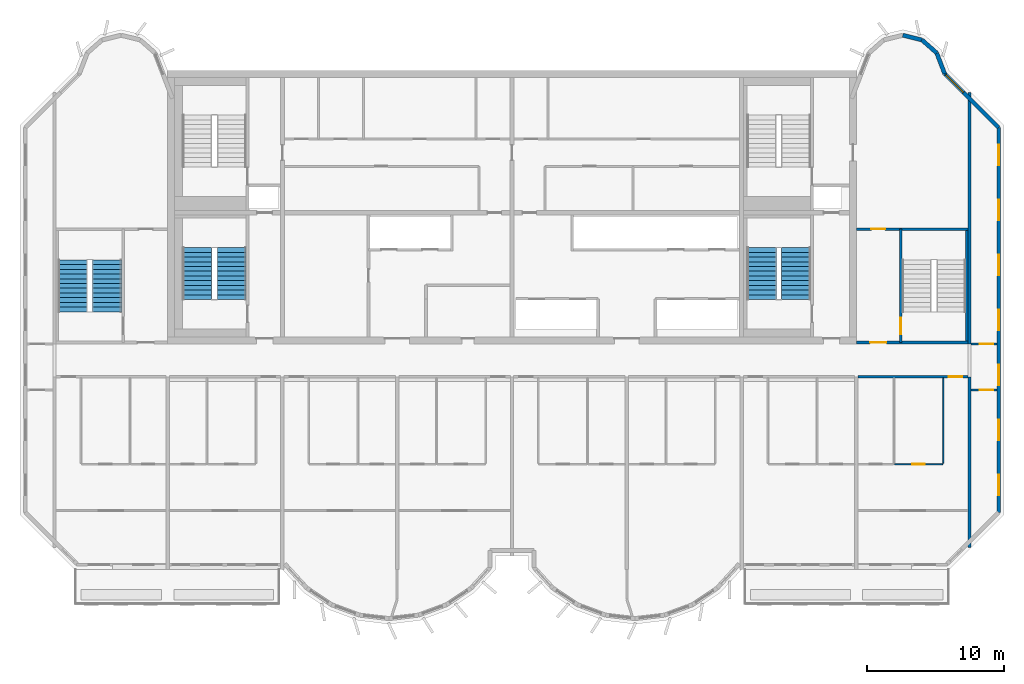
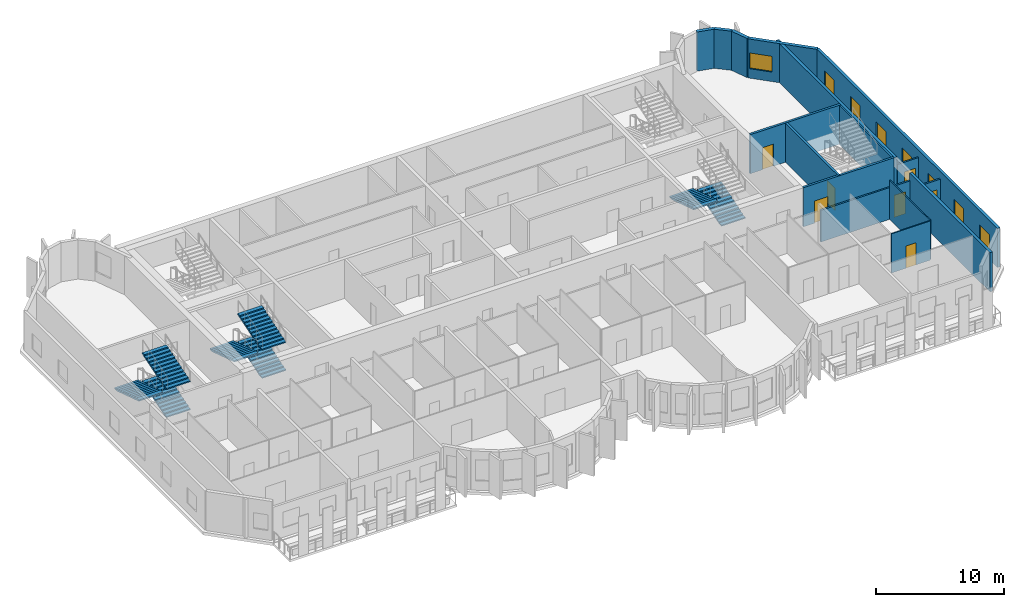
# One storey, part 8 of 12: 16 walls, 8 stair flights, 8 windows, 7 doors, 15 openings, 3 elements without a shape of their own.
"""IFC4 building model written with IfcOpenShell, lengths in metres."""

from ifc_helpers import new_model, si_unit, direction, frame, frame_2d, origin, place, context, subcontext, project, spatial, polyline, rectangle, outline, extrude, source, transform, mapped, material, layer, layer_set, type_object, element, fill, aggregate, save


model = new_model("IFC4")

# Units and contexts
model_context = context("Model", 3, precision=1e-05, world=origin(), true_north=direction((0.0, 1.0)))
body_context = subcontext(model_context, "Body", "Model", "MODEL_VIEW")
ifc_project = project(units=[si_unit("LENGTHUNIT", "METRE"), si_unit("AREAUNIT", "SQUARE_METRE"), si_unit("VOLUMEUNIT", "CUBIC_METRE"), si_unit("PLANEANGLEUNIT", "RADIAN"), si_unit("MASSUNIT", "GRAM", prefix="KILO")], contexts=[model_context])

# Site, building, storey
site_placement = place(None, origin())
site = spatial("IfcSite", under=ifc_project, at=site_placement, CompositionType="ELEMENT")
building_placement = place(site_placement, origin())
building = spatial("IfcBuilding", under=site, at=building_placement, Name="Vanashikhar Sky Hotel", CompositionType="ELEMENT")
storey_placement = place(building_placement, frame((0.0, 0.0, 281.699951171875)))
storey = spatial("IfcBuildingStorey", under=building, at=storey_placement, Name="L67", CompositionType="ELEMENT", Elevation=281.699951171875)

# Walls
ifc_material_1 = material(Name="Concrete M50", Category="concrete")
ifc_layer_1 = layer(ifc_material_1, 0.25)
ifc_layer_set_1 = layer_set([ifc_layer_1], Name="RC shear wall 250 Concrete M50")
wall_type_1 = type_object("IfcWallType", Name="RC shear wall 250 Concrete M50", PredefinedType="SHEAR", material=ifc_layer_set_1)
shared_shape_1 = source(origin(), body_context, "Body", "SweptSolid", [
    extrude(rectangle(XDim=12.5, YDim=0.25, at=frame_2d((6.25, 0.0))), origin(), (0.0, 0.0, 1.0), 3.719970703125),
])
wall_1_placement = place(storey_placement, frame((83.875, 7.10009765625, 0.0), z_axis=(0.0, 0.0, 1.0), x_axis=(0.0, 1.0, 0.0)))
element("IfcWall", 1, at=wall_1_placement, inside=storey, type_object=wall_type_1, Name="CW-L67-XW11-1", PredefinedType="SHEAR", context=body_context, shape_type="MappedRepresentation", body=[
    mapped(shared_shape_1, transform((0.0, 0.0, 0.0), scale=1.0)),
])
shared_shape_2 = source(origin(), body_context, "Body", "SweptSolid", [
    extrude(rectangle(XDim=18.39990234375, YDim=0.25, at=frame_2d((9.199951171875, 0.0))), origin(), (0.0, 0.0, 1.0), 3.719970703125),
])
wall_2_placement = place(storey_placement, frame((83.875, 22.0, 0.0), z_axis=(0.0, 0.0, 1.0), x_axis=(0.0, 1.0, 0.0)))
element("IfcWall", 2, at=wall_2_placement, inside=storey, type_object=wall_type_1, Name="CW-L67-XW11-2", PredefinedType="SHEAR", context=body_context, shape_type="MappedRepresentation", body=[
    mapped(shared_shape_2, transform((0.0, 0.0, 0.0), scale=1.0)),
])

# Wall, opening, window
ifc_layer_2 = layer(ifc_material_1, 0.300048828125)
ifc_layer_set_2 = layer_set([ifc_layer_2], Name="Lobe wall 300")
wall_type_2 = type_object("IfcWallType", Name="Lobe wall 300", PredefinedType="SOLIDWALL", material=ifc_layer_set_2)
shared_shape_3 = source(origin(), body_context, "Body", "SweptSolid", [
    extrude(rectangle(XDim=5.576416015625, YDim=0.300048828125, at=frame_2d((2.7880859375, 0.0))), origin(), (0.0, 0.0, 1.0), 3.719970703125),
])
wall_3_placement = place(storey_placement, frame((86.0, 37.834228515625, 0.0), z_axis=(0.0, 0.0, 1.0), x_axis=(-0.707106781187, 0.707106781187, 0.0)))
wall_3 = element("IfcWall", 3, at=wall_3_placement, inside=storey, type_object=wall_type_2, Name="Corner wall", PredefinedType="SOLIDWALL", context=body_context, shape_type="MappedRepresentation", body=[
    mapped(shared_shape_3, transform((0.0, 0.0, 0.0), scale=1.0)),
])
shared_shape_4 = source(origin(), body_context, "Body", "SweptSolid", [
    extrude(rectangle(XDim=1.800048828125, YDim=1.5, at=frame_2d((0.89990234375, 0.75))), frame((0.0, 0.16015625, 0.0), z_axis=(0.0, -1.0, 0.0), x_axis=(1.0, 0.0, 0.0)), (0.0, 0.0, 1.0), 0.320068359375),
])
opening_1_placement = place(wall_3_placement, frame((3.640869140625, 0.0, 0.89990234375)))
opening_1 = element("IfcOpeningElement", 4, at=opening_1_placement, cuts=wall_3, Name="Opening WN-4", PredefinedType="OPENING", context=body_context, shape_type="MappedRepresentation", body=[
    mapped(shared_shape_4, transform((0.0, 0.0, 0.0), scale=1.0)),
])
ifc_material_2 = material(Name="Glass", Category="glass")
window_type_1 = type_object("IfcWindowType", Name="Corner window 1800 x 1500", PartitioningType="SINGLE_PANEL", PredefinedType="WINDOW", material=ifc_material_2)
shared_shape_5 = source(origin(), body_context, "Body", "SweptSolid", [
    extrude(rectangle(XDim=1.800048828125, YDim=1.5, at=frame_2d((0.89990234375, 0.75))), frame((0.0, 0.030029296875, 0.0), z_axis=(0.0, -1.0, 0.0), x_axis=(1.0, 0.0, 0.0)), (0.0, 0.0, 1.0), 0.06005859375),
])
window_1_placement = place(opening_1_placement, origin())
window_1 = element("IfcWindow", 5, at=window_1_placement, inside=storey, type_object=window_type_1, Name="Window WN-4", OverallHeight=1.5, OverallWidth=1.800048828125, PartitioningType="SINGLE_PANEL", PredefinedType="WINDOW", context=body_context, shape_type="MappedRepresentation", body=[
    mapped(shared_shape_5, transform((0.0, 0.0, 0.0), scale=1.0)),
])
fill(opening_1, window_1)

# Walls
shared_shape_6 = source(origin(), body_context, "Body", "SweptSolid", [
    extrude(rectangle(XDim=1.6220703125, YDim=0.300048828125, at=frame_2d((0.81103515625, 0.0))), origin(), (0.0, 0.0, 1.0), 3.719970703125),
])
wall_4_placement = place(storey_placement, frame((82.056884765625, 41.77734375, 0.0), z_axis=(0.0, 0.0, 1.0), x_axis=(-0.357778527068, 0.933806471154, 0.0)))
element("IfcWall", 6, at=wall_4_placement, inside=storey, type_object=wall_type_2, Name="Lobe wall", PredefinedType="SOLIDWALL", context=body_context, shape_type="MappedRepresentation", body=[
    mapped(shared_shape_6, transform((0.0, 0.0, 0.0), scale=1.0)),
])
shared_shape_7 = source(origin(), body_context, "Body", "SweptSolid", [
    extrude(rectangle(XDim=1.43994140625, YDim=0.300048828125, at=frame_2d((0.719970703125, 0.0))), origin(), (0.0, 0.0, 1.0), 3.719970703125),
])
wall_5_placement = place(storey_placement, frame((81.4765625, 43.2919921875, 0.0), z_axis=(0.0, 0.0, 1.0), x_axis=(-0.74957555648, 0.661918790432, 0.0)))
element("IfcWall", 7, at=wall_5_placement, inside=storey, type_object=wall_type_2, Name="Lobe wall", PredefinedType="SOLIDWALL", context=body_context, shape_type="MappedRepresentation", body=[
    mapped(shared_shape_7, transform((0.0, 0.0, 0.0), scale=1.0)),
])
shared_shape_8 = source(origin(), body_context, "Body", "SweptSolid", [
    extrude(rectangle(XDim=1.438720703125, YDim=0.300048828125, at=frame_2d((0.71923828125, 0.0))), origin(), (0.0, 0.0, 1.0), 3.719970703125),
])
wall_6_placement = place(storey_placement, frame((80.397216796875, 44.2451171875, 0.0), z_axis=(0.0, 0.0, 1.0), x_axis=(-0.971161932466, 0.238420848351, 0.0)))
element("IfcWall", 8, at=wall_6_placement, inside=storey, type_object=wall_type_2, Name="Lobe wall", PredefinedType="SOLIDWALL", context=body_context, shape_type="MappedRepresentation", body=[
    mapped(shared_shape_8, transform((0.0, 0.0, 0.0), scale=1.0)),
])

# Wall, openings, windows
ifc_layer_3 = layer(ifc_material_1, 0.25)
ifc_layer_set_3 = layer_set([ifc_layer_3], Name="Rear and end board-marked wall 250")
wall_type_3 = type_object("IfcWallType", Name="Rear and end board-marked wall 250", PredefinedType="SOLIDWALL", material=ifc_layer_set_3)
shared_shape_9 = source(origin(), body_context, "Body", "SweptSolid", [
    extrude(rectangle(XDim=28.189453125, YDim=0.25, at=frame_2d((14.0947265625, 0.0))), origin(), (0.0, 0.0, 1.0), 3.719970703125),
])
wall_7_placement = place(storey_placement, frame((86.02490234375, 9.6552734375, 0.0), z_axis=(0.0, 0.0, 1.0), x_axis=(0.0, 1.0, 0.0)))
wall_7 = element("IfcWall", 9, at=wall_7_placement, inside=storey, type_object=wall_type_3, Name="End board-marked wall", PredefinedType="SOLIDWALL", context=body_context, shape_type="MappedRepresentation", body=[
    mapped(shared_shape_9, transform((0.0, 0.0, 0.0), scale=1.0)),
])
shared_shape_10 = source(origin(), body_context, "Body", "SweptSolid", [
    extrude(rectangle(XDim=1.5, YDim=1.5, at=frame_2d((0.75, 0.75))), frame((0.0, 0.135009765625, 0.0), z_axis=(0.0, -1.0, 0.0), x_axis=(1.0, 0.0, 0.0)), (0.0, 0.0, 1.0), 0.27001953125),
])
opening_2_placement = place(wall_7_placement, frame((1.263427734375, 0.0, 0.89990234375)))
opening_2 = element("IfcOpeningElement", 10, at=opening_2_placement, cuts=wall_7, Name="Opening WN-1", PredefinedType="OPENING", context=body_context, shape_type="MappedRepresentation", body=[
    mapped(shared_shape_10, transform((0.0, 0.0, 0.0), scale=1.0)),
])
opening_3_placement = place(wall_7_placement, frame((5.29052734375, 0.0, 0.89990234375)))
opening_3 = element("IfcOpeningElement", 11, at=opening_3_placement, cuts=wall_7, Name="Opening WN-1", PredefinedType="OPENING", context=body_context, shape_type="MappedRepresentation", body=[
    mapped(shared_shape_10, transform((0.0, 0.0, 0.0), scale=1.0)),
])
opening_4_placement = place(wall_7_placement, frame((9.317626953125, 0.0, 0.89990234375)))
opening_4 = element("IfcOpeningElement", 12, at=opening_4_placement, cuts=wall_7, Name="Opening WN-1", PredefinedType="OPENING", context=body_context, shape_type="MappedRepresentation", body=[
    mapped(shared_shape_10, transform((0.0, 0.0, 0.0), scale=1.0)),
])
opening_5_placement = place(wall_7_placement, frame((13.3447265625, 0.0, 0.89990234375)))
opening_5 = element("IfcOpeningElement", 13, at=opening_5_placement, cuts=wall_7, Name="Opening WN-1", PredefinedType="OPENING", context=body_context, shape_type="MappedRepresentation", body=[
    mapped(shared_shape_10, transform((0.0, 0.0, 0.0), scale=1.0)),
])
opening_6_placement = place(wall_7_placement, frame((17.371826171875, 0.0, 0.89990234375)))
opening_6 = element("IfcOpeningElement", 14, at=opening_6_placement, cuts=wall_7, Name="Opening WN-1", PredefinedType="OPENING", context=body_context, shape_type="MappedRepresentation", body=[
    mapped(shared_shape_10, transform((0.0, 0.0, 0.0), scale=1.0)),
])
opening_7_placement = place(wall_7_placement, frame((21.398681640625, 0.0, 0.89990234375)))
opening_7 = element("IfcOpeningElement", 15, at=opening_7_placement, cuts=wall_7, Name="Opening WN-1", PredefinedType="OPENING", context=body_context, shape_type="MappedRepresentation", body=[
    mapped(shared_shape_10, transform((0.0, 0.0, 0.0), scale=1.0)),
])
opening_8_placement = place(wall_7_placement, frame((25.42578125, 0.0, 0.89990234375)))
opening_8 = element("IfcOpeningElement", 16, at=opening_8_placement, cuts=wall_7, Name="Opening WN-1", PredefinedType="OPENING", context=body_context, shape_type="MappedRepresentation", body=[
    mapped(shared_shape_10, transform((0.0, 0.0, 0.0), scale=1.0)),
])
window_type_2 = type_object("IfcWindowType", Name="Window 1500 x 1500", PartitioningType="SINGLE_PANEL", PredefinedType="WINDOW", material=ifc_material_2)
shared_shape_11 = source(origin(), body_context, "Body", "SweptSolid", [
    extrude(rectangle(XDim=1.5, YDim=1.5, at=frame_2d((0.75, 0.75))), frame((0.0, 0.030029296875, 0.0), z_axis=(0.0, -1.0, 0.0), x_axis=(1.0, 0.0, 0.0)), (0.0, 0.0, 1.0), 0.06005859375),
])
window_2_placement = place(opening_2_placement, origin())
window_2 = element("IfcWindow", 17, at=window_2_placement, inside=storey, type_object=window_type_2, Name="Window WN-1", OverallHeight=1.5, OverallWidth=1.5, PartitioningType="SINGLE_PANEL", PredefinedType="WINDOW", context=body_context, shape_type="MappedRepresentation", body=[
    mapped(shared_shape_11, transform((0.0, 0.0, 0.0), scale=1.0)),
])
fill(opening_2, window_2)
window_3_placement = place(opening_3_placement, origin())
window_3 = element("IfcWindow", 18, at=window_3_placement, inside=storey, type_object=window_type_2, Name="Window WN-1", OverallHeight=1.5, OverallWidth=1.5, PartitioningType="SINGLE_PANEL", PredefinedType="WINDOW", context=body_context, shape_type="MappedRepresentation", body=[
    mapped(shared_shape_11, transform((0.0, 0.0, 0.0), scale=1.0)),
])
fill(opening_3, window_3)
window_4_placement = place(opening_4_placement, origin())
window_4 = element("IfcWindow", 19, at=window_4_placement, inside=storey, type_object=window_type_2, Name="Window WN-1", OverallHeight=1.5, OverallWidth=1.5, PartitioningType="SINGLE_PANEL", PredefinedType="WINDOW", context=body_context, shape_type="MappedRepresentation", body=[
    mapped(shared_shape_11, transform((0.0, 0.0, 0.0), scale=1.0)),
])
fill(opening_4, window_4)
window_5_placement = place(opening_5_placement, origin())
window_5 = element("IfcWindow", 20, at=window_5_placement, inside=storey, type_object=window_type_2, Name="Window WN-1", OverallHeight=1.5, OverallWidth=1.5, PartitioningType="SINGLE_PANEL", PredefinedType="WINDOW", context=body_context, shape_type="MappedRepresentation", body=[
    mapped(shared_shape_11, transform((0.0, 0.0, 0.0), scale=1.0)),
])
fill(opening_5, window_5)
window_6_placement = place(opening_6_placement, origin())
window_6 = element("IfcWindow", 21, at=window_6_placement, inside=storey, type_object=window_type_2, Name="Window WN-1", OverallHeight=1.5, OverallWidth=1.5, PartitioningType="SINGLE_PANEL", PredefinedType="WINDOW", context=body_context, shape_type="MappedRepresentation", body=[
    mapped(shared_shape_11, transform((0.0, 0.0, 0.0), scale=1.0)),
])
fill(opening_6, window_6)
window_7_placement = place(opening_7_placement, origin())
window_7 = element("IfcWindow", 22, at=window_7_placement, inside=storey, type_object=window_type_2, Name="Window WN-1", OverallHeight=1.5, OverallWidth=1.5, PartitioningType="SINGLE_PANEL", PredefinedType="WINDOW", context=body_context, shape_type="MappedRepresentation", body=[
    mapped(shared_shape_11, transform((0.0, 0.0, 0.0), scale=1.0)),
])
fill(opening_7, window_7)
window_8_placement = place(opening_8_placement, origin())
window_8 = element("IfcWindow", 23, at=window_8_placement, inside=storey, type_object=window_type_2, Name="Window WN-1", OverallHeight=1.5, OverallWidth=1.5, PartitioningType="SINGLE_PANEL", PredefinedType="WINDOW", context=body_context, shape_type="MappedRepresentation", body=[
    mapped(shared_shape_11, transform((0.0, 0.0, 0.0), scale=1.0)),
])
fill(opening_8, window_8)

# Wall, opening, door
ifc_layer_4 = layer(ifc_material_1, 0.199951171875)
ifc_layer_set_4 = layer_set([ifc_layer_4], Name="Stair wall 200")
wall_type_4 = type_object("IfcWallType", Name="Stair wall 200", PredefinedType="SOLIDWALL", material=ifc_layer_set_4)
shared_shape_12 = source(origin(), body_context, "Body", "SweptSolid", [
    extrude(rectangle(XDim=8.2998046875, YDim=0.199951171875, at=frame_2d((4.14990234375, 0.0))), origin(), (0.0, 0.0, 1.0), 3.719970703125),
])
wall_8_placement = place(storey_placement, frame((78.85009765625, 22.10009765625, 0.0), z_axis=(0.0, 0.0, 1.0), x_axis=(0.0, 1.0, 0.0)))
wall_8 = element("IfcWall", 24, at=wall_8_placement, inside=storey, type_object=wall_type_4, Name="Stair wall 200", PredefinedType="SOLIDWALL", context=body_context, shape_type="MappedRepresentation", body=[
    mapped(shared_shape_12, transform((0.0, 0.0, 0.0), scale=1.0)),
])
shared_shape_13 = source(origin(), body_context, "Body", "SweptSolid", [
    extrude(rectangle(XDim=1.199951171875, YDim=2.10009765625, at=frame_2d((0.60009765625, 1.050048828125))), frame((0.0, 0.10986328125, 0.0), z_axis=(0.0, -1.0, 0.0), x_axis=(1.0, 0.0, 0.0)), (0.0, 0.0, 1.0), 0.219970703125),
])
opening_9_placement = place(wall_8_placement, frame((0.60009765625, 0.0, 0.0)))
opening_9 = element("IfcOpeningElement", 25, at=opening_9_placement, cuts=wall_8, Name="Opening DC-1", PredefinedType="OPENING", context=body_context, shape_type="MappedRepresentation", body=[
    mapped(shared_shape_13, transform((0.0, 0.0, 0.0), scale=1.0)),
])
ifc_material_3 = material(Name="Steel", Category="steel")
door_type_1 = type_object("IfcDoorType", Name="Stair door 1200 FD120", OperationType="NOTDEFINED", PredefinedType="DOOR", material=ifc_material_3)
shared_shape_14 = source(origin(), body_context, "Body", "SweptSolid", [
    extrude(rectangle(XDim=1.199951171875, YDim=2.10009765625, at=frame_2d((0.60009765625, 1.050048828125))), frame((0.0, 0.02490234375, 0.0), z_axis=(0.0, -1.0, 0.0), x_axis=(1.0, 0.0, 0.0)), (0.0, 0.0, 1.0), 0.050048828125),
])
door_1_placement = place(opening_9_placement, origin())
door_1 = element("IfcDoor", 26, at=door_1_placement, inside=storey, type_object=door_type_1, Name="Stair door 1200 FD120", OperationType="SINGLE_SWING_LEFT", OverallHeight=2.10009765625, OverallWidth=1.199951171875, PredefinedType="DOOR", context=body_context, shape_type="MappedRepresentation", body=[
    mapped(shared_shape_14, transform((0.0, 0.0, 0.0), scale=1.0)),
])
fill(opening_9, door_1)

shared_shape_15 = source(origin(), body_context, "Body", "SweptSolid", [
    extrude(rectangle(XDim=8.14990234375, YDim=0.199951171875, at=frame_2d((4.074951171875, 0.0))), origin(), (0.0, 0.0, 1.0), 3.719970703125),
])
wall_9_placement = place(storey_placement, frame((83.75, 22.10009765625, 0.0), z_axis=(0.0, 0.0, 1.0), x_axis=(-1.0, 0.0, 0.0)))
wall_9 = element("IfcWall", 27, at=wall_9_placement, inside=storey, type_object=wall_type_4, Name="Stair wall 200", PredefinedType="SOLIDWALL", context=body_context, shape_type="MappedRepresentation", body=[
    mapped(shared_shape_15, transform((0.0, 0.0, 0.0), scale=1.0)),
])
opening_10_placement = place(wall_9_placement, frame((5.949951171875, 0.0, 0.0)))
opening_10 = element("IfcOpeningElement", 28, at=opening_10_placement, cuts=wall_9, Name="Opening DC-2", PredefinedType="OPENING", context=body_context, shape_type="MappedRepresentation", body=[
    mapped(shared_shape_13, transform((0.0, 0.0, 0.0), scale=1.0)),
])
door_type_2 = type_object("IfcDoorType", Name="Firefighting lobby door 1200 FD120", OperationType="NOTDEFINED", PredefinedType="DOOR", material=ifc_material_3)
door_2_placement = place(opening_10_placement, origin())
door_2 = element("IfcDoor", 29, at=door_2_placement, inside=storey, type_object=door_type_2, Name="Firefighting lobby door 1200 FD120", OperationType="SINGLE_SWING_RIGHT", OverallHeight=2.10009765625, OverallWidth=1.199951171875, PredefinedType="DOOR", context=body_context, shape_type="MappedRepresentation", body=[
    mapped(shared_shape_14, transform((0.0, 0.0, 0.0), scale=1.0)),
])
fill(opening_10, door_2)

wall_10_placement = place(storey_placement, frame((83.75, 30.39990234375, 0.0), z_axis=(0.0, 0.0, 1.0), x_axis=(-1.0, 0.0, 0.0)))
wall_10 = element("IfcWall", 30, at=wall_10_placement, inside=storey, type_object=wall_type_4, Name="Stair wall 200", PredefinedType="SOLIDWALL", context=body_context, shape_type="MappedRepresentation", body=[
    mapped(shared_shape_15, transform((0.0, 0.0, 0.0), scale=1.0)),
])
shared_shape_16 = source(origin(), body_context, "Body", "SweptSolid", [
    extrude(rectangle(XDim=1.0, YDim=2.10009765625, at=frame_2d((0.5, 1.050048828125))), frame((0.0, 0.10986328125, 0.0), z_axis=(0.0, -1.0, 0.0), x_axis=(1.0, 0.0, 0.0)), (0.0, 0.0, 1.0), 0.219970703125),
])
opening_11_placement = place(wall_10_placement, frame((6.050048828125, 0.0, 0.0)))
opening_11 = element("IfcOpeningElement", 31, at=opening_11_placement, cuts=wall_10, Name="Opening DC-6", PredefinedType="OPENING", context=body_context, shape_type="MappedRepresentation", body=[
    mapped(shared_shape_16, transform((0.0, 0.0, 0.0), scale=1.0)),
])
door_type_3 = type_object("IfcDoorType", Name="Pocket door 1000 FD60", OperationType="NOTDEFINED", PredefinedType="DOOR", material=ifc_material_3)
shared_shape_17 = source(origin(), body_context, "Body", "SweptSolid", [
    extrude(rectangle(XDim=1.0, YDim=2.10009765625, at=frame_2d((0.5, 1.050048828125))), frame((0.0, 0.02490234375, 0.0), z_axis=(0.0, -1.0, 0.0), x_axis=(1.0, 0.0, 0.0)), (0.0, 0.0, 1.0), 0.050048828125),
])
door_3_placement = place(opening_11_placement, origin())
door_3 = element("IfcDoor", 32, at=door_3_placement, inside=storey, type_object=door_type_3, Name="Pocket door 1000 FD60", OperationType="SINGLE_SWING_RIGHT", OverallHeight=2.10009765625, OverallWidth=1.0, PredefinedType="DOOR", context=body_context, shape_type="MappedRepresentation", body=[
    mapped(shared_shape_17, transform((0.0, 0.0, 0.0), scale=1.0)),
])
fill(opening_11, door_3)

# Walls
ifc_layer_5 = layer(ifc_material_1, 0.14990234375)
ifc_layer_set_5 = layer_set([ifc_layer_5], Name="Stair infill wall 150")
wall_type_5 = type_object("IfcWallType", Name="Stair infill wall 150", PredefinedType="SOLIDWALL", material=ifc_layer_set_5)
shared_shape_18 = source(origin(), body_context, "Body", "SweptSolid", [
    extrude(rectangle(XDim=8.10009765625, YDim=0.14990234375, at=frame_2d((4.050048828125, 0.0))), origin(), (0.0, 0.0, 1.0), 3.719970703125),
])
wall_11_placement = place(storey_placement, frame((83.675048828125, 22.199951171875, 0.0), z_axis=(0.0, 0.0, 1.0), x_axis=(0.0, 1.0, 0.0)))
element("IfcWall", 33, at=wall_11_placement, inside=storey, type_object=wall_type_5, Name="Stair infill wall 150", PredefinedType="SOLIDWALL", context=body_context, shape_type="MappedRepresentation", body=[
    mapped(shared_shape_18, transform((0.0, 0.0, 0.0), scale=1.0)),
])
ifc_material_4 = material(Name="Gypsum plasterboard partition")
ifc_layer_6 = layer(ifc_material_4, 0.10009765625)
ifc_layer_set_6 = layer_set([ifc_layer_6], Name="Wet room partition 100")
wall_type_6 = type_object("IfcWallType", Name="Wet room partition 100", PredefinedType="PARTITIONING", material=ifc_layer_set_6)
shared_shape_19 = source(origin(), body_context, "Body", "SweptSolid", [
    extrude(rectangle(XDim=6.25, YDim=0.10009765625, at=frame_2d((3.125, 0.0))), origin(), (0.0, 0.0, 1.0), 3.719970703125),
])
wall_12_placement = place(storey_placement, frame((81.949951171875, 13.27490234375, 0.0), z_axis=(0.0, 0.0, 1.0), x_axis=(0.0, 1.0, 0.0)))
element("IfcWall", 34, at=wall_12_placement, inside=storey, type_object=wall_type_6, Name="W-L67-PW040", PredefinedType="PARTITIONING", context=body_context, shape_type="MappedRepresentation", body=[
    mapped(shared_shape_19, transform((0.0, 0.0, 0.0), scale=1.0)),
])

# Wall, opening, door
shared_shape_20 = source(origin(), body_context, "Body", "SweptSolid", [
    extrude(rectangle(XDim=3.5, YDim=0.10009765625, at=frame_2d((1.75, 0.0))), origin(), (0.0, 0.0, 1.0), 3.719970703125),
])
wall_13_placement = place(storey_placement, frame((78.39990234375, 13.199951171875, 0.0), z_axis=(0.0, 0.0, 1.0), x_axis=(1.0, 0.0, 0.0)))
wall_13 = element("IfcWall", 35, at=wall_13_placement, inside=storey, type_object=wall_type_6, Name="W-L67-PW042", PredefinedType="PARTITIONING", context=body_context, shape_type="MappedRepresentation", body=[
    mapped(shared_shape_20, transform((0.0, 0.0, 0.0), scale=1.0)),
])
shared_shape_21 = source(origin(), body_context, "Body", "SweptSolid", [
    extrude(rectangle(XDim=0.89990234375, YDim=2.10009765625, at=frame_2d((0.449951171875, 1.050048828125))), frame((0.0, 0.06005859375, 0.0), z_axis=(0.0, -1.0, 0.0), x_axis=(1.0, 0.0, 0.0)), (0.0, 0.0, 1.0), 0.1201171875),
])
opening_12_placement = place(wall_13_placement, frame((1.300048828125, 0.0, 0.0)))
opening_12 = element("IfcOpeningElement", 36, at=opening_12_placement, cuts=wall_13, Name="Opening D-02", PredefinedType="OPENING", context=body_context, shape_type="MappedRepresentation", body=[
    mapped(shared_shape_21, transform((0.0, 0.0, 0.0), scale=1.0)),
])
ifc_material_5 = material(Name="Timber door", Category="wood")
door_type_4 = type_object("IfcDoorType", Name="Internal door 900", OperationType="NOTDEFINED", PredefinedType="DOOR", material=ifc_material_5)
shared_shape_22 = source(origin(), body_context, "Body", "SweptSolid", [
    extrude(rectangle(XDim=0.89990234375, YDim=2.10009765625, at=frame_2d((0.449951171875, 1.050048828125))), frame((0.0, 0.02490234375, 0.0), z_axis=(0.0, -1.0, 0.0), x_axis=(1.0, 0.0, 0.0)), (0.0, 0.0, 1.0), 0.050048828125),
])
door_4_placement = place(opening_12_placement, origin())
door_4 = element("IfcDoor", 37, at=door_4_placement, inside=storey, type_object=door_type_4, Name="D-L67-026", OperationType="SINGLE_SWING_RIGHT", OverallHeight=2.10009765625, OverallWidth=0.89990234375, PredefinedType="DOOR", context=body_context, shape_type="MappedRepresentation", body=[
    mapped(shared_shape_22, transform((0.0, 0.0, 0.0), scale=1.0)),
])
fill(opening_12, door_4)

ifc_layer_7 = layer(ifc_material_4, 0.14990234375)
ifc_layer_set_7 = layer_set([ifc_layer_7], Name="Corridor and demising partition 150")
wall_type_7 = type_object("IfcWallType", Name="Corridor and demising partition 150", PredefinedType="PARTITIONING", material=ifc_layer_set_7)
shared_shape_23 = source(origin(), body_context, "Body", "SweptSolid", [
    extrude(rectangle(XDim=8.02490234375, YDim=0.14990234375, at=frame_2d((4.012451171875, 0.0))), origin(), (0.0, 0.0, 1.0), 3.02001953125),
])
wall_14_placement = place(storey_placement, frame((75.72509765625, 19.60009765625, 0.0), z_axis=(0.0, 0.0, 1.0), x_axis=(1.0, 0.0, 0.0)))
wall_14 = element("IfcWall", 38, at=wall_14_placement, inside=storey, type_object=wall_type_7, Name="W-L67-PW045", PredefinedType="PARTITIONING", context=body_context, shape_type="MappedRepresentation", body=[
    mapped(shared_shape_23, transform((0.0, 0.0, 0.0), scale=1.0)),
])
shared_shape_24 = source(origin(), body_context, "Body", "SweptSolid", [
    extrude(rectangle(XDim=1.0, YDim=2.10009765625, at=frame_2d((0.5, 1.050048828125))), frame((0.0, 0.0849609375, 0.0), z_axis=(0.0, -1.0, 0.0), x_axis=(1.0, 0.0, 0.0)), (0.0, 0.0, 1.0), 0.169921875),
])
opening_13_placement = place(wall_14_placement, frame((6.625, 0.0, 0.0)))
opening_13 = element("IfcOpeningElement", 39, at=opening_13_placement, cuts=wall_14, Name="Opening D-01", PredefinedType="OPENING", context=body_context, shape_type="MappedRepresentation", body=[
    mapped(shared_shape_24, transform((0.0, 0.0, 0.0), scale=1.0)),
])
ifc_material_6 = material(Name="Timber fire door", Category="wood")
door_type_5 = type_object("IfcDoorType", Name="Guest entry door 1000 FD30S", OperationType="NOTDEFINED", PredefinedType="DOOR", material=ifc_material_6)
door_5_placement = place(opening_13_placement, origin())
door_5 = element("IfcDoor", 40, at=door_5_placement, inside=storey, type_object=door_type_5, Name="D-L67-029", OperationType="SINGLE_SWING_RIGHT", OverallHeight=2.10009765625, OverallWidth=1.0, PredefinedType="DOOR", context=body_context, shape_type="MappedRepresentation", body=[
    mapped(shared_shape_17, transform((0.0, 0.0, 0.0), scale=1.0)),
])
fill(opening_13, door_5)

shared_shape_25 = source(origin(), body_context, "Body", "SweptSolid", [
    extrude(rectangle(XDim=1.89990234375, YDim=0.14990234375, at=frame_2d((0.949951171875, 0.0))), origin(), (0.0, 0.0, 1.0), 3.02001953125),
])
wall_15_placement = place(storey_placement, frame((84.0, 22.0, 0.0), z_axis=(0.0, 0.0, 1.0), x_axis=(1.0, 0.0, 0.0)))
wall_15 = element("IfcWall", 41, at=wall_15_placement, inside=storey, type_object=wall_type_7, Name="W-L67-PW049", PredefinedType="PARTITIONING", context=body_context, shape_type="MappedRepresentation", body=[
    mapped(shared_shape_25, transform((0.0, 0.0, 0.0), scale=1.0)),
])
opening_14_placement = place(wall_15_placement, frame((0.625, 0.0, 0.0)))
opening_14 = element("IfcOpeningElement", 42, at=opening_14_placement, cuts=wall_15, Name="Opening D-01", PredefinedType="OPENING", context=body_context, shape_type="MappedRepresentation", body=[
    mapped(shared_shape_24, transform((0.0, 0.0, 0.0), scale=1.0)),
])
door_6_placement = place(opening_14_placement, origin())
door_6 = element("IfcDoor", 43, at=door_6_placement, inside=storey, type_object=door_type_5, Name="D-L67-031", OperationType="SINGLE_SWING_RIGHT", OverallHeight=2.10009765625, OverallWidth=1.0, PredefinedType="DOOR", context=body_context, shape_type="MappedRepresentation", body=[
    mapped(shared_shape_17, transform((0.0, 0.0, 0.0), scale=1.0)),
])
fill(opening_14, door_6)

wall_16_placement = place(storey_placement, frame((84.0, 18.6279296875, 0.0), z_axis=(0.0, 0.0, 1.0), x_axis=(1.0, 0.0, 0.0)))
wall_16 = element("IfcWall", 44, at=wall_16_placement, inside=storey, type_object=wall_type_7, Name="W-L67-PW051", PredefinedType="PARTITIONING", context=body_context, shape_type="MappedRepresentation", body=[
    mapped(shared_shape_25, transform((0.0, 0.0, 0.0), scale=1.0)),
])
opening_15_placement = place(wall_16_placement, frame((0.625, 0.0, 0.0)))
opening_15 = element("IfcOpeningElement", 45, at=opening_15_placement, cuts=wall_16, Name="Opening D-01", PredefinedType="OPENING", context=body_context, shape_type="MappedRepresentation", body=[
    mapped(shared_shape_24, transform((0.0, 0.0, 0.0), scale=1.0)),
])
door_7_placement = place(opening_15_placement, origin())
door_7 = element("IfcDoor", 46, at=door_7_placement, inside=storey, type_object=door_type_5, Name="D-L67-033", OperationType="SINGLE_SWING_RIGHT", OverallHeight=2.10009765625, OverallWidth=1.0, PredefinedType="DOOR", context=body_context, shape_type="MappedRepresentation", body=[
    mapped(shared_shape_17, transform((0.0, 0.0, 0.0), scale=1.0)),
])
fill(opening_15, door_7)

# Stair, stair flights
ifc_material_7 = material(Name="Concrete M40", Category="concrete")
stair_type = type_object("IfcStairType", Name="Exit stair 2150", PredefinedType="DOUBLE_RETURN_STAIR", material=ifc_material_7)
stair_1_placement = place(storey_placement, origin())
stair_1 = element("IfcStair", 47, at=stair_1_placement, inside=storey, type_object=stair_type, Name="L67 Exit stair 1", PredefinedType="DOUBLE_RETURN_STAIR")
stair_flight_type = type_object("IfcStairFlightType", Name="Stair flight 2150", PredefinedType="STRAIGHT", material=ifc_material_7)
shared_shape_26 = source(origin(), body_context, "Body", "SweptSolid", [
    extrude(outline(polyline([(0.0, 0.0), (0.0, 0.111083984375), (0.345458984375, 0.111083984375), (0.345458984375, 0.22216796875), (0.69091796875, 0.22216796875), (0.69091796875, 0.333251953125), (1.036376953125, 0.333251953125), (1.036376953125, 0.4443359375), (1.3818359375, 0.4443359375), (1.3818359375, 0.5556640625), (1.727294921875, 0.5556640625), (1.727294921875, 0.666748046875), (2.07275390625, 0.666748046875), (2.07275390625, 0.77783203125), (2.418212890625, 0.77783203125), (2.418212890625, 0.888916015625), (2.763671875, 0.888916015625), (2.763671875, 1.0), (3.109130859375, 1.0), (3.109130859375, 1.111083984375), (3.45458984375, 1.111083984375), (3.45458984375, 1.22216796875), (3.800048828125, 1.22216796875), (3.800048828125, 1.333251953125), (3.800048828125, 1.095947265625), (0.392333984375, 0.0), (0.0, 0.0)])), frame((0.0, 1.074951171875, 0.0), z_axis=(0.0, -1.0, 0.0), x_axis=(1.0, 0.0, 0.0)), (0.0, 0.0, 1.0), 2.14990234375),
])
stair_flight_1_placement = place(storey_placement, frame((29.875, 25.25, 0.0), z_axis=(0.0, 0.0, 1.0), x_axis=(0.0, 1.0, 0.0)))
stair_flight_1 = element("IfcStairFlight", 48, at=stair_flight_1_placement, type_object=stair_flight_type, Name="ST-C1 flight 1", NumberOfRisers=12, NumberOfTreads=11, PredefinedType="STRAIGHT", RiserHeight=0.111111111, TreadLength=0.345454545, context=body_context, shape_type="MappedRepresentation", body=[
    mapped(shared_shape_26, transform((0.0, 0.0, 0.0), scale=1.0)),
])
stair_flight_2_placement = place(storey_placement, frame((27.375, 29.050048828125, 1.33349609375), z_axis=(0.0, 0.0, 1.0), x_axis=(0.0, -1.0, 0.0)))
stair_flight_2 = element("IfcStairFlight", 49, at=stair_flight_2_placement, type_object=stair_flight_type, Name="ST-C1 flight 2", NumberOfRisers=12, NumberOfTreads=11, PredefinedType="STRAIGHT", RiserHeight=0.111111111, TreadLength=0.345454545, context=body_context, shape_type="MappedRepresentation", body=[
    mapped(shared_shape_26, transform((0.0, 0.0, 0.0), scale=1.0)),
])
stair_flight_3_placement = place(storey_placement, frame((29.875, 25.25, 2.666748046875), z_axis=(0.0, 0.0, 1.0), x_axis=(0.0, 1.0, 0.0)))
stair_flight_3 = element("IfcStairFlight", 50, at=stair_flight_3_placement, type_object=stair_flight_type, Name="ST-C1 flight 3", NumberOfRisers=12, NumberOfTreads=11, PredefinedType="STRAIGHT", RiserHeight=0.111111111, TreadLength=0.345454545, context=body_context, shape_type="MappedRepresentation", body=[
    mapped(shared_shape_26, transform((0.0, 0.0, 0.0), scale=1.0)),
])
aggregate(stair_1, [stair_flight_1, stair_flight_2, stair_flight_3])

stair_2_placement = place(storey_placement, origin())
stair_2 = element("IfcStair", 51, at=stair_2_placement, inside=storey, type_object=stair_type, Name="L67 Exit stair 2", PredefinedType="DOUBLE_RETURN_STAIR")
stair_flight_4_placement = place(storey_placement, frame((71.175048828125, 25.25, 0.0), z_axis=(0.0, 0.0, 1.0), x_axis=(0.0, 1.0, 0.0)))
stair_flight_4 = element("IfcStairFlight", 52, at=stair_flight_4_placement, type_object=stair_flight_type, Name="ST-C2 flight 1", NumberOfRisers=12, NumberOfTreads=11, PredefinedType="STRAIGHT", RiserHeight=0.111111111, TreadLength=0.345454545, context=body_context, shape_type="MappedRepresentation", body=[
    mapped(shared_shape_26, transform((0.0, 0.0, 0.0), scale=1.0)),
])
stair_flight_5_placement = place(storey_placement, frame((68.675048828125, 29.050048828125, 1.33349609375), z_axis=(0.0, 0.0, 1.0), x_axis=(0.0, -1.0, 0.0)))
stair_flight_5 = element("IfcStairFlight", 53, at=stair_flight_5_placement, type_object=stair_flight_type, Name="ST-C2 flight 2", NumberOfRisers=12, NumberOfTreads=11, PredefinedType="STRAIGHT", RiserHeight=0.111111111, TreadLength=0.345454545, context=body_context, shape_type="MappedRepresentation", body=[
    mapped(shared_shape_26, transform((0.0, 0.0, 0.0), scale=1.0)),
])
aggregate(stair_2, [stair_flight_4, stair_flight_5])

stair_3_placement = place(storey_placement, origin())
stair_3 = element("IfcStair", 54, at=stair_3_placement, inside=storey, type_object=stair_type, Name="L67 Exit stair 3", PredefinedType="DOUBLE_RETURN_STAIR")
stair_flight_6_placement = place(storey_placement, frame((20.77490234375, 24.35009765625, 0.0), z_axis=(0.0, 0.0, 1.0), x_axis=(0.0, 1.0, 0.0)))
stair_flight_6 = element("IfcStairFlight", 55, at=stair_flight_6_placement, type_object=stair_flight_type, Name="ST-W flight 1", NumberOfRisers=12, NumberOfTreads=11, PredefinedType="STRAIGHT", RiserHeight=0.111111111, TreadLength=0.345454545, context=body_context, shape_type="MappedRepresentation", body=[
    mapped(shared_shape_26, transform((0.0, 0.0, 0.0), scale=1.0)),
])
stair_flight_7_placement = place(storey_placement, frame((18.27490234375, 28.14990234375, 1.33349609375), z_axis=(0.0, 0.0, 1.0), x_axis=(0.0, -1.0, 0.0)))
stair_flight_7 = element("IfcStairFlight", 56, at=stair_flight_7_placement, type_object=stair_flight_type, Name="ST-W flight 2", NumberOfRisers=12, NumberOfTreads=11, PredefinedType="STRAIGHT", RiserHeight=0.111111111, TreadLength=0.345454545, context=body_context, shape_type="MappedRepresentation", body=[
    mapped(shared_shape_26, transform((0.0, 0.0, 0.0), scale=1.0)),
])
stair_flight_8_placement = place(storey_placement, frame((20.77490234375, 24.35009765625, 2.666748046875), z_axis=(0.0, 0.0, 1.0), x_axis=(0.0, 1.0, 0.0)))
stair_flight_8 = element("IfcStairFlight", 57, at=stair_flight_8_placement, type_object=stair_flight_type, Name="ST-W flight 3", NumberOfRisers=12, NumberOfTreads=11, PredefinedType="STRAIGHT", RiserHeight=0.111111111, TreadLength=0.345454545, context=body_context, shape_type="MappedRepresentation", body=[
    mapped(shared_shape_26, transform((0.0, 0.0, 0.0), scale=1.0)),
])
aggregate(stair_3, [stair_flight_6, stair_flight_7, stair_flight_8])

save(model, "model.ifc")
